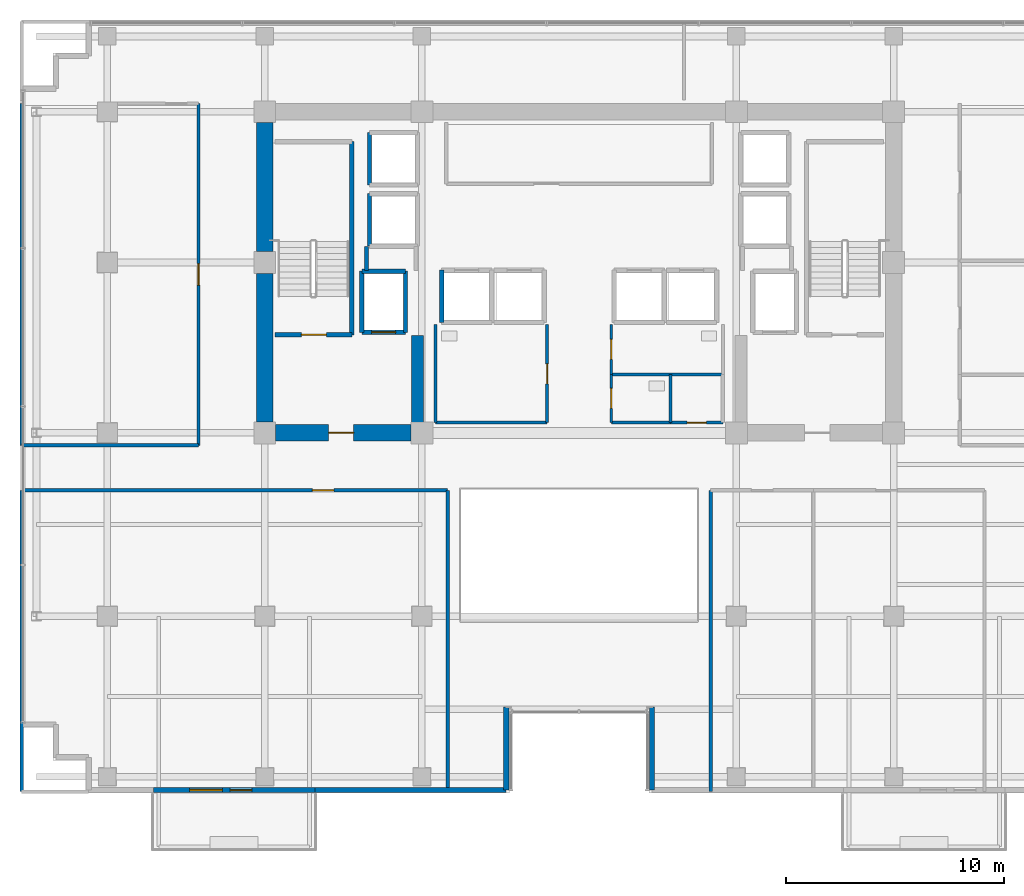
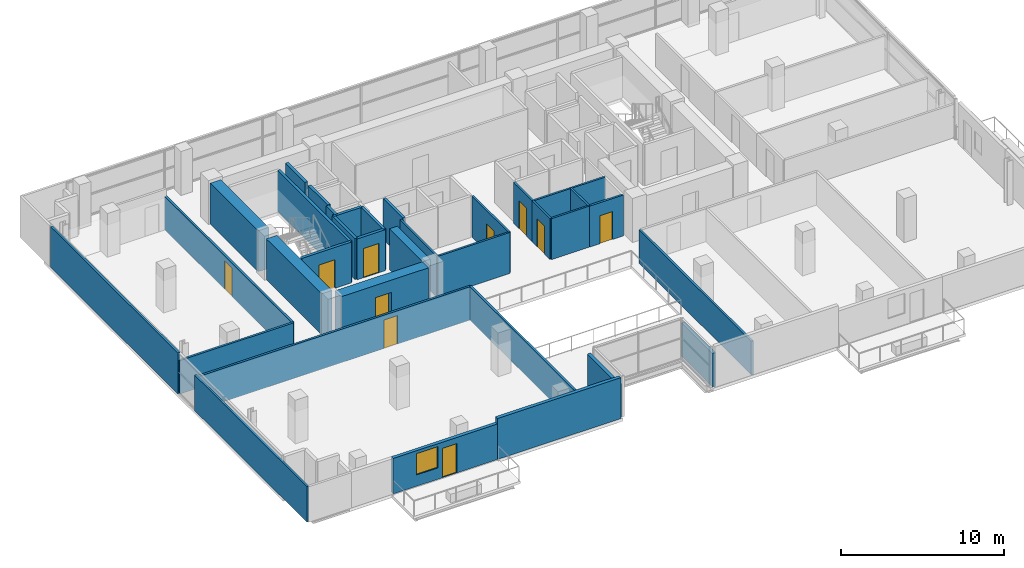
# One storey, part 17 of 25: 34 walls, 10 doors, 1 window, 11 openings.
"""IFC4 building model written with IfcOpenShell, lengths in metres."""

from ifc_helpers import new_model, si_unit, direction, frame, frame_2d, origin, place, context, subcontext, project, spatial, rectangle, extrude, source, transform, mapped, material, layer, layer_set, type_object, element, fill, save


model = new_model("IFC4")

# Units and contexts
model_context = context("Model", 3, precision=1e-05, world=origin(), true_north=direction((0.0, 1.0)))
body_context = subcontext(model_context, "Body", "Model", "MODEL_VIEW")
ifc_project = project(units=[si_unit("LENGTHUNIT", "METRE"), si_unit("AREAUNIT", "SQUARE_METRE"), si_unit("VOLUMEUNIT", "CUBIC_METRE"), si_unit("PLANEANGLEUNIT", "RADIAN"), si_unit("MASSUNIT", "GRAM", prefix="KILO")], contexts=[model_context])

# Site, building, storey
site_placement = place(None, origin())
site = spatial("IfcSite", under=ifc_project, at=site_placement, CompositionType="ELEMENT")
building_placement = place(site_placement, origin())
building = spatial("IfcBuilding", under=site, at=building_placement, Name="Zarnakvel Exchange Tower", CompositionType="ELEMENT")
storey_placement = place(building_placement, frame((0.0, 0.0, 126.39990234375)))
storey = spatial("IfcBuildingStorey", under=building, at=storey_placement, Name="L35", CompositionType="ELEMENT", Elevation=126.39990234375)

# Walls
ifc_material_1 = material(Name="Concrete C60/75", Category="concrete")
ifc_layer_1 = layer(ifc_material_1, 0.75)
ifc_layer_set_1 = layer_set([ifc_layer_1], Name="Concrete C60/75")
wall_type_1 = type_object("IfcWallType", Name="CW-C3", PredefinedType="SHEAR", material=ifc_layer_set_1)
wall_1_placement = place(storey_placement, frame((-14.39990234375, -0.699951171875, 0.0), z_axis=(0.0, 0.0, 1.0), x_axis=(0.0, 1.0, 0.0)))
element("IfcWall", 1, at=wall_1_placement, inside=storey, type_object=wall_type_1, Name="L35 Rear Core Shear Wall W1 (CW-C3)", PredefinedType="SHEAR", context=body_context, shape_type="SweptSolid", body=[
    extrude(rectangle(XDim=6.800048828125, YDim=0.75, at=frame_2d((3.39990234375, 0.0))), origin(), (0.0, 0.0, 1.0), 3.0751953125),
])
wall_2_placement = place(storey_placement, frame((-14.39990234375, 7.10009765625, 0.0), z_axis=(0.0, 0.0, 1.0), x_axis=(0.0, 1.0, 0.0)))
element("IfcWall", 2, at=wall_2_placement, inside=storey, type_object=wall_type_1, Name="L35 Rear Core Shear Wall W2 (CW-C3)", PredefinedType="SHEAR", context=body_context, shape_type="SweptSolid", body=[
    extrude(rectangle(XDim=5.89990234375, YDim=0.75, at=frame_2d((2.949951171875, 0.0))), origin(), (0.0, 0.0, 1.0), 3.0751953125),
])

# Wall, opening, door
wall_3_placement = place(storey_placement, frame((-7.699951171875, -1.199951171875, 0.0), z_axis=(0.0, 0.0, 1.0), x_axis=(-1.0, 0.0, 0.0)))
wall_3 = element("IfcWall", 3, at=wall_3_placement, inside=storey, type_object=wall_type_1, Name="L35 Rear Core Shear Wall SW (CW-C3)", PredefinedType="SHEAR", context=body_context, shape_type="SweptSolid", body=[
    extrude(rectangle(XDim=6.199951171875, YDim=0.75, at=frame_2d((3.10009765625, 0.0))), origin(), (0.0, 0.0, 1.0), 3.0751953125),
])
opening_1_placement = place(wall_3_placement, frame((2.625, 0.0, 0.0)))
opening_1 = element("IfcOpeningElement", 4, at=opening_1_placement, cuts=wall_3, Name="Opening D-L35-03", PredefinedType="OPENING", context=body_context, shape_type="SweptSolid", body=[
    extrude(rectangle(XDim=1.14990234375, YDim=2.14990234375, at=frame_2d((0.574951171875, 1.074951171875))), frame((0.0, 0.385009765625, 0.0), z_axis=(0.0, -1.0, 0.0), x_axis=(1.0, 0.0, 0.0)), (0.0, 0.0, 1.0), 0.77001953125),
])
ifc_material_2 = material(Name="Painted Galvanised Steel S355", Category="steel")
door_type_1 = type_object("IfcDoorType", Name="DT-04", OperationType="NOTDEFINED", PredefinedType="DOOR", material=ifc_material_2)
shared_shape_1 = source(origin(), body_context, "Body", "SweptSolid", [
    extrude(rectangle(XDim=1.14990234375, YDim=2.14990234375, at=frame_2d((0.574951171875, 1.074951171875))), frame((0.0, 0.02490234375, 0.0), z_axis=(0.0, -1.0, 0.0), x_axis=(1.0, 0.0, 0.0)), (0.0, 0.0, 1.0), 0.050048828125),
])
door_1_placement = place(opening_1_placement, origin())
door_1 = element("IfcDoor", 5, at=door_1_placement, inside=storey, type_object=door_type_1, Name="L35 Firefighting Lobby West Door D-L35-03", OperationType="SINGLE_SWING_LEFT", OverallHeight=2.14990234375, OverallWidth=1.14990234375, PredefinedType="DOOR", context=body_context, shape_type="MappedRepresentation", body=[
    mapped(shared_shape_1, transform((0.0, 0.0, 0.0), x_axis=(1.0, 0.0, 0.0), y_axis=(0.0, 1.0, 0.0), z_axis=(0.0, 0.0, 1.0), scale=1.0)),
])
fill(opening_1, door_1)

# Wall
ifc_layer_2 = layer(ifc_material_1, 0.550048828125)
ifc_layer_set_2 = layer_set([ifc_layer_2], Name="Concrete C60/75")
wall_type_2 = type_object("IfcWallType", Name="CW-C4", PredefinedType="SHEAR", material=ifc_layer_set_2)
wall_4_placement = place(storey_placement, frame((-7.39990234375, -0.824951171875, 0.0), z_axis=(0.0, 0.0, 1.0), x_axis=(0.0, 1.0, 0.0)))
element("IfcWall", 6, at=wall_4_placement, inside=storey, type_object=wall_type_2, Name="L35 Rear Core Shear Wall IW (CW-C4)", PredefinedType="SHEAR", context=body_context, shape_type="SweptSolid", body=[
    extrude(rectangle(XDim=4.074951171875, YDim=0.550048828125, at=frame_2d((2.03759765625, 0.0))), origin(), (0.0, 0.0, 1.0), 3.0751953125),
])

# Wall, openings, door, window
ifc_material_3 = material(Name="Precast concrete C40/50", Category="concrete")
ifc_layer_3 = layer(ifc_material_3, 0.239990234375)
ifc_layer_set_3 = layer_set([ifc_layer_3], Name="Precast concrete C40/50")
wall_type_3 = type_object("IfcWallType", Name="EW-02", PredefinedType="SOLIDWALL", material=ifc_layer_set_3)
wall_5_placement = place(storey_placement, frame((-12.10009765625, -17.56005859375, 0.0), z_axis=(0.0, 0.0, 1.0), x_axis=(-1.0, 0.0, 0.0)))
wall_5 = element("IfcWall", 7, at=wall_5_placement, inside=storey, type_object=wall_type_3, Name="L35 Exterior Precast Spandrel Wall EW-BAL-L35-SW (EW-02)", PredefinedType="SOLIDWALL", context=body_context, shape_type="SweptSolid", body=[
    extrude(rectangle(XDim=7.39990234375, YDim=0.239990234375, at=frame_2d((3.699951171875, 0.0))), origin(), (0.0, 0.0, 1.0), 2.6650390625),
])
opening_2_placement = place(wall_5_placement, frame((2.885986328125, 0.0, 0.0)))
opening_2 = element("IfcOpeningElement", 8, at=opening_2_placement, cuts=wall_5, Name="Opening BD-L35-01", PredefinedType="OPENING", context=body_context, shape_type="SweptSolid", body=[
    extrude(rectangle(XDim=1.0, YDim=2.199951171875, at=frame_2d((0.5, 1.10009765625))), frame((0.0, 0.1298828125, 0.0), z_axis=(0.0, -1.0, 0.0), x_axis=(1.0, 0.0, 0.0)), (0.0, 0.0, 1.0), 0.260009765625),
])
opening_3_placement = place(wall_5_placement, frame((4.236083984375, 0.0, 0.85009765625)))
opening_3 = element("IfcOpeningElement", 9, at=opening_3_placement, cuts=wall_5, Name="Opening WN-03", PredefinedType="OPENING", context=body_context, shape_type="SweptSolid", body=[
    extrude(rectangle(XDim=1.5, YDim=1.60009765625, at=frame_2d((0.75, 0.800048828125))), frame((0.0, 0.1298828125, 0.0), z_axis=(0.0, -1.0, 0.0), x_axis=(1.0, 0.0, 0.0)), (0.0, 0.0, 1.0), 0.260009765625),
])
ifc_material_4 = material(Name="Architectural Bronze Anodised Aluminium", Category="aluminium")
door_type_2 = type_object("IfcDoorType", Name="DT-09", OperationType="NOTDEFINED", PredefinedType="DOOR", material=ifc_material_4)
shared_shape_2 = source(origin(), body_context, "Body", "SweptSolid", [
    extrude(rectangle(XDim=1.0, YDim=2.199951171875, at=frame_2d((0.5, 1.10009765625))), frame((0.0, 0.02490234375, 0.0), z_axis=(0.0, -1.0, 0.0), x_axis=(1.0, 0.0, 0.0)), (0.0, 0.0, 1.0), 0.050048828125),
])
door_2_placement = place(opening_2_placement, origin())
door_2 = element("IfcDoor", 10, at=door_2_placement, inside=storey, type_object=door_type_2, Name="L35 Planted Loggia Balcony Door BD-L35-01", OperationType="SINGLE_SWING_LEFT", OverallHeight=2.199951171875, OverallWidth=1.0, PredefinedType="DOOR", context=body_context, shape_type="MappedRepresentation", body=[
    mapped(shared_shape_2, transform((0.0, 0.0, 0.0), x_axis=(1.0, 0.0, 0.0), y_axis=(0.0, 1.0, 0.0), z_axis=(0.0, 0.0, 1.0), scale=1.0)),
])
fill(opening_2, door_2)
ifc_material_5 = material(Name="Double Low-E Laminated Vision Glass", Category="glass")
window_type = type_object("IfcWindowType", Name="WN-03", PartitioningType="SINGLE_PANEL", PredefinedType="WINDOW", material=ifc_material_5)
shared_shape_3 = source(origin(), body_context, "Body", "SweptSolid", [
    extrude(rectangle(XDim=1.5, YDim=1.60009765625, at=frame_2d((0.75, 0.800048828125))), frame((0.0, 0.030029296875, 0.0), z_axis=(0.0, -1.0, 0.0), x_axis=(1.0, 0.0, 0.0)), (0.0, 0.0, 1.0), 0.06005859375),
])
window_placement = place(opening_3_placement, origin())
window = element("IfcWindow", 11, at=window_placement, inside=storey, type_object=window_type, Name="L35 Loggia Daylight Window (WN-03)", OverallHeight=1.60009765625, OverallWidth=1.5, PartitioningType="SINGLE_PANEL", PredefinedType="WINDOW", context=body_context, shape_type="MappedRepresentation", body=[
    mapped(shared_shape_3, transform((0.0, 0.0, 0.0), x_axis=(1.0, 0.0, 0.0), y_axis=(0.0, 1.0, 0.0), z_axis=(0.0, 0.0, 1.0), scale=1.0)),
])
fill(opening_3, window)

# Walls
for number, where, z_axis, x_axis, name in (
    (12, (3.340087890625, -13.760009765625, 0.0), (0.0, 0.0, 1.0), (0.0, -1.0, 0.0), "L35 Exterior Precast Spandrel Wall EWC-L35-17 (EW-02)"),
    (13, (-3.340087890625, -17.56005859375, 0.0), (0.0, 0.0, 1.0), (0.0, 1.0, 0.0), "L35 Exterior Precast Spandrel Wall EWC-L35-20 (EW-02)"),
):
    element("IfcWall", number, at=place(storey_placement, frame(where, z_axis=z_axis, x_axis=x_axis)), inside=storey, type_object=wall_type_3, Name=name, PredefinedType="SOLIDWALL", context=body_context, shape_type="SweptSolid", body=[
        extrude(rectangle(XDim=3.800048828125, YDim=0.239990234375, at=frame_2d((1.89990234375, 0.0))), origin(), (0.0, 0.0, 1.0), 2.51513671875),
    ])
wall_6_placement = place(storey_placement, frame((-12.10009765625, -17.56005859375, 0.0), z_axis=(0.0, 0.0, 1.0), x_axis=(1.0, 0.0, 0.0)))
element("IfcWall", 14, at=wall_6_placement, inside=storey, type_object=wall_type_3, Name="L35 Exterior Precast Spandrel Wall EWC-L35-21 (EW-02)", PredefinedType="SOLIDWALL", context=body_context, shape_type="SweptSolid", body=[
    extrude(rectangle(XDim=8.760009765625, YDim=0.239990234375, at=frame_2d((4.3798828125, 0.0))), origin(), (0.0, 0.0, 1.0), 3.0751953125),
])

# Wall, opening, door
ifc_material_6 = material(Name="Fire-Rated Gypsum Stud Partition", Category="gypsum")
ifc_layer_4 = layer(ifc_material_6, 0.14990234375)
ifc_layer_set_4 = layer_set([ifc_layer_4], Name="Fire-Rated Gypsum Stud Partition")
wall_type_4 = type_object("IfcWallType", Name="PT-01", PredefinedType="PARTITIONING", material=ifc_layer_set_4)
wall_7_placement = place(storey_placement, frame((6.580078125, -0.72998046875, 0.0), z_axis=(0.0, 0.0, 1.0), x_axis=(-1.0, 0.0, 0.0)))
wall_7 = element("IfcWall", 15, at=wall_7_placement, inside=storey, type_object=wall_type_4, Name="L35 Partition Wall PWALL-L35-023 (PT-01)", PredefinedType="PARTITIONING", context=body_context, shape_type="SweptSolid", body=[
    extrude(rectangle(XDim=2.400146484375, YDim=0.14990234375, at=frame_2d((1.2001953125, 0.0))), origin(), (0.0, 0.0, 1.0), 3.0751953125),
])
opening_4_placement = place(wall_7_placement, frame((0.760009765625, 0.0, 0.0)))
opening_4 = element("IfcOpeningElement", 16, at=opening_4_placement, cuts=wall_7, Name="Opening D-L35-09", PredefinedType="OPENING", context=body_context, shape_type="SweptSolid", body=[
    extrude(rectangle(XDim=0.8798828125, YDim=2.10009765625, at=frame_2d((0.43994140625, 1.050048828125))), frame((0.0, 0.0849609375, 0.0), z_axis=(0.0, -1.0, 0.0), x_axis=(1.0, 0.0, 0.0)), (0.0, 0.0, 1.0), 0.169921875),
])
door_type_3 = type_object("IfcDoorType", Name="DT-08", OperationType="NOTDEFINED", PredefinedType="DOOR", material=ifc_material_2)
shared_shape_4 = source(origin(), body_context, "Body", "SweptSolid", [
    extrude(rectangle(XDim=0.8798828125, YDim=2.10009765625, at=frame_2d((0.43994140625, 1.050048828125))), frame((0.0, 0.02490234375, 0.0), z_axis=(0.0, -1.0, 0.0), x_axis=(1.0, 0.0, 0.0)), (0.0, 0.0, 1.0), 0.050048828125),
])
door_3_placement = place(opening_4_placement, origin())
door_3 = element("IfcDoor", 17, at=door_3_placement, inside=storey, type_object=door_type_3, Name="L35 Cleaners Store Door D-L35-09", OperationType="SINGLE_SWING_LEFT", OverallHeight=2.10009765625, OverallWidth=0.8798828125, PredefinedType="DOOR", context=body_context, shape_type="MappedRepresentation", body=[
    mapped(shared_shape_4, transform((0.0, 0.0, 0.0), x_axis=(1.0, 0.0, 0.0), y_axis=(0.0, 1.0, 0.0), z_axis=(0.0, 0.0, 1.0), scale=1.0)),
])
fill(opening_4, door_3)

wall_8_placement = place(storey_placement, frame((-25.530029296875, -3.830078125, 0.0), z_axis=(0.0, 0.0, 1.0), x_axis=(1.0, 0.0, 0.0)))
wall_8 = element("IfcWall", 18, at=wall_8_placement, inside=storey, type_object=wall_type_4, Name="L35 Partition Wall PWALL-L35-026 (PT-01)", PredefinedType="PARTITIONING", context=body_context, shape_type="SweptSolid", body=[
    extrude(rectangle(XDim=19.510009765625, YDim=0.14990234375, at=frame_2d((9.7548828125, 0.0))), origin(), (0.0, 0.0, 1.0), 2.51513671875),
])
opening_5_placement = place(wall_8_placement, frame((13.31494140625, 0.0, 0.0)))
opening_5 = element("IfcOpeningElement", 19, at=opening_5_placement, cuts=wall_8, Name="Opening D-L35-10", PredefinedType="OPENING", context=body_context, shape_type="SweptSolid", body=[
    extrude(rectangle(XDim=0.97998046875, YDim=2.14990234375, at=frame_2d((0.489990234375, 1.074951171875))), frame((0.0, 0.0849609375, 0.0), z_axis=(0.0, -1.0, 0.0), x_axis=(1.0, 0.0, 0.0)), (0.0, 0.0, 1.0), 0.169921875),
])
ifc_material_7 = material(Name="Timber Acoustic Veneer", Category="wood")
door_type_4 = type_object("IfcDoorType", Name="DT-05", OperationType="NOTDEFINED", PredefinedType="DOOR", material=ifc_material_7)
shared_shape_5 = source(origin(), body_context, "Body", "SweptSolid", [
    extrude(rectangle(XDim=0.97998046875, YDim=2.14990234375, at=frame_2d((0.489990234375, 1.074951171875))), frame((0.0, 0.02490234375, 0.0), z_axis=(0.0, -1.0, 0.0), x_axis=(1.0, 0.0, 0.0)), (0.0, 0.0, 1.0), 0.050048828125),
])
door_4_placement = place(opening_5_placement, origin())
door_4 = element("IfcDoor", 20, at=door_4_placement, inside=storey, type_object=door_type_4, Name="L35 Equities Trading Floor Door D-L35-10", OperationType="SINGLE_SWING_RIGHT", OverallHeight=2.14990234375, OverallWidth=0.97998046875, PredefinedType="DOOR", context=body_context, shape_type="MappedRepresentation", body=[
    mapped(shared_shape_5, transform((0.0, 0.0, 0.0), x_axis=(1.0, 0.0, 0.0), y_axis=(0.0, 1.0, 0.0), z_axis=(0.0, 0.0, 1.0), scale=1.0)),
])
fill(opening_5, door_4)

# Walls
wall_9_placement = place(storey_placement, frame((-25.530029296875, -17.6298828125, 0.0), z_axis=(0.0, 0.0, 1.0), x_axis=(0.0, 1.0, 0.0)))
element("IfcWall", 21, at=wall_9_placement, inside=storey, type_object=wall_type_4, Name="L35 Partition Wall PWALL-L35-027 (PT-01)", PredefinedType="PARTITIONING", context=body_context, shape_type="SweptSolid", body=[
    extrude(rectangle(XDim=13.7998046875, YDim=0.14990234375, at=frame_2d((6.89990234375, 0.0))), origin(), (0.0, 0.0, 1.0), 2.6650390625),
])
for number, where, z_axis, x_axis, name in (
    (22, (-6.02001953125, -3.830078125, 0.0), (0.0, 0.0, 1.0), (0.0, -1.0, 0.0), "L35 Partition Wall PWALL-L35-028 (PT-01)"),
    (23, (6.02001953125, -17.6298828125, 0.0), (0.0, 0.0, 1.0), (0.0, 1.0, 0.0), "L35 Partition Wall PWALL-L35-031 (PT-01)"),
):
    element("IfcWall", number, at=place(storey_placement, frame(where, z_axis=z_axis, x_axis=x_axis)), inside=storey, type_object=wall_type_4, Name=name, PredefinedType="PARTITIONING", context=body_context, shape_type="SweptSolid", body=[
        extrude(rectangle(XDim=13.7998046875, YDim=0.14990234375, at=frame_2d((6.89990234375, 0.0))), origin(), (0.0, 0.0, 1.0), 2.51513671875),
    ])
wall_10_placement = place(storey_placement, frame((-17.429931640625, -1.77001953125, 0.0), z_axis=(0.0, 0.0, 1.0), x_axis=(-1.0, 0.0, 0.0)))
element("IfcWall", 24, at=wall_10_placement, inside=storey, type_object=wall_type_4, Name="L35 Partition Wall PWALL-L35-036 (PT-01)", PredefinedType="PARTITIONING", context=body_context, shape_type="SweptSolid", body=[
    extrude(rectangle(XDim=8.10009765625, YDim=0.14990234375, at=frame_2d((4.050048828125, 0.0))), origin(), (0.0, 0.0, 1.0), 2.51513671875),
])
wall_11_placement = place(storey_placement, frame((-25.530029296875, -1.77001953125, 0.0), z_axis=(0.0, 0.0, 1.0), x_axis=(0.0, 1.0, 0.0)))
element("IfcWall", 25, at=wall_11_placement, inside=storey, type_object=wall_type_4, Name="L35 Partition Wall PWALL-L35-038 (PT-01)", PredefinedType="PARTITIONING", context=body_context, shape_type="SweptSolid", body=[
    extrude(rectangle(XDim=15.64990234375, YDim=0.14990234375, at=frame_2d((7.824951171875, 0.0))), origin(), (0.0, 0.0, 1.0), 3.0751953125),
])

# Wall, opening, door
wall_12_placement = place(storey_placement, frame((-17.429931640625, 13.8798828125, 0.0), z_axis=(0.0, 0.0, 1.0), x_axis=(0.0, -1.0, 0.0)))
wall_12 = element("IfcWall", 26, at=wall_12_placement, inside=storey, type_object=wall_type_4, Name="L35 Partition Wall PWALL-L35-039 (PT-01)", PredefinedType="PARTITIONING", context=body_context, shape_type="SweptSolid", body=[
    extrude(rectangle(XDim=15.64990234375, YDim=0.14990234375, at=frame_2d((7.824951171875, 0.0))), origin(), (0.0, 0.0, 1.0), 2.51513671875),
])
opening_6_placement = place(wall_12_placement, frame((7.3349609375, 0.0, 0.0)))
opening_6 = element("IfcOpeningElement", 27, at=opening_6_placement, cuts=wall_12, Name="Opening D-L35-13", PredefinedType="OPENING", context=body_context, shape_type="SweptSolid", body=[
    extrude(rectangle(XDim=0.97998046875, YDim=2.14990234375, at=frame_2d((0.489990234375, 1.074951171875))), frame((0.0, 0.0849609375, 0.0), z_axis=(0.0, -1.0, 0.0), x_axis=(1.0, 0.0, 0.0)), (0.0, 0.0, 1.0), 0.169921875),
])
door_5_placement = place(opening_6_placement, origin())
door_5 = element("IfcDoor", 28, at=door_5_placement, inside=storey, type_object=door_type_4, Name="L35 Executive Office Door D-L35-13", OperationType="SINGLE_SWING_LEFT", OverallHeight=2.14990234375, OverallWidth=0.97998046875, PredefinedType="DOOR", context=body_context, shape_type="MappedRepresentation", body=[
    mapped(shared_shape_5, transform((0.0, 0.0, 0.0), x_axis=(1.0, 0.0, 0.0), y_axis=(0.0, 1.0, 0.0), z_axis=(0.0, 0.0, 1.0), scale=1.0)),
])
fill(opening_6, door_5)

# Walls
ifc_layer_5 = layer(ifc_material_6, 0.179931640625)
ifc_layer_set_5 = layer_set([ifc_layer_5], Name="Fire-Rated Gypsum Stud Partition")
wall_type_5 = type_object("IfcWallType", Name="PT-02", PredefinedType="PARTITIONING", material=ifc_layer_set_5)
wall_13_placement = place(storey_placement, frame((-9.72998046875, 6.239990234375, 0.0), z_axis=(0.0, 0.0, 1.0), x_axis=(0.0, 1.0, 0.0)))
element("IfcWall", 29, at=wall_13_placement, inside=storey, type_object=wall_type_5, Name="L35 Partition Wall PWALL-L35-007 (PT-02)", PredefinedType="PARTITIONING", context=body_context, shape_type="SweptSolid", body=[
    extrude(rectangle(XDim=1.090087890625, YDim=0.179931640625, at=frame_2d((0.544921875, 0.0))), origin(), (0.0, 0.0, 1.0), 3.0751953125),
])
ifc_material_8 = material(Name="Moisture-Resistant Tile-Faced Partition", Category="gypsum")
ifc_layer_6 = layer(ifc_material_8, 0.135009765625)
ifc_layer_set_6 = layer_set([ifc_layer_6], Name="Moisture-Resistant Tile-Faced Partition")
wall_type_6 = type_object("IfcWallType", Name="PT-03", PredefinedType="PARTITIONING", material=ifc_layer_set_6)
wall_14_placement = place(storey_placement, frame((-1.469970703125, -0.72998046875, 0.0), z_axis=(0.0, 0.0, 1.0), x_axis=(-1.0, 0.0, 0.0)))
element("IfcWall", 30, at=wall_14_placement, inside=storey, type_object=wall_type_6, Name="L35 Partition Wall PWALL-L35-014 (PT-03)", PredefinedType="PARTITIONING", context=body_context, shape_type="SweptSolid", body=[
    extrude(rectangle(XDim=5.110107421875, YDim=0.135009765625, at=frame_2d((2.55517578125, 0.0))), origin(), (0.0, 0.0, 1.0), 3.0751953125),
])
wall_15_placement = place(storey_placement, frame((-6.580078125, -0.72998046875, 0.0), z_axis=(0.0, 0.0, 1.0), x_axis=(0.0, 1.0, 0.0)))
element("IfcWall", 31, at=wall_15_placement, inside=storey, type_object=wall_type_6, Name="L35 Partition Wall PWALL-L35-015 (PT-03)", PredefinedType="PARTITIONING", context=body_context, shape_type="SweptSolid", body=[
    extrude(rectangle(XDim=4.489990234375, YDim=0.135009765625, at=frame_2d((2.2451171875, 0.0))), origin(), (0.0, 0.0, 1.0), 3.0751953125),
])

# Wall, opening, door
wall_16_placement = place(storey_placement, frame((-1.469970703125, 3.760009765625, 0.0), z_axis=(0.0, 0.0, 1.0), x_axis=(0.0, -1.0, 0.0)))
wall_16 = element("IfcWall", 32, at=wall_16_placement, inside=storey, type_object=wall_type_6, Name="L35 Partition Wall PWALL-L35-016 (PT-03)", PredefinedType="PARTITIONING", context=body_context, shape_type="SweptSolid", body=[
    extrude(rectangle(XDim=4.489990234375, YDim=0.135009765625, at=frame_2d((2.2451171875, 0.0))), origin(), (0.0, 0.0, 1.0), 3.0751953125),
])
opening_7_placement = place(wall_16_placement, frame((1.800048828125, 0.0, 0.0)))
opening_7 = element("IfcOpeningElement", 33, at=opening_7_placement, cuts=wall_16, Name="Opening D-L35-06", PredefinedType="OPENING", context=body_context, shape_type="SweptSolid", body=[
    extrude(rectangle(XDim=0.919921875, YDim=2.10009765625, at=frame_2d((0.4599609375, 1.050048828125))), frame((0.0, 0.077392578125, 0.0), z_axis=(0.0, -1.0, 0.0), x_axis=(1.0, 0.0, 0.0)), (0.0, 0.0, 1.0), 0.155029296875),
])
ifc_material_9 = material(Name="Moisture-Resistant Laminate Timber", Category="wood")
door_type_5 = type_object("IfcDoorType", Name="DT-07", OperationType="NOTDEFINED", PredefinedType="DOOR", material=ifc_material_9)
shared_shape_6 = source(origin(), body_context, "Body", "SweptSolid", [
    extrude(rectangle(XDim=0.919921875, YDim=2.10009765625, at=frame_2d((0.4599609375, 1.050048828125))), frame((0.0, 0.02490234375, 0.0), z_axis=(0.0, -1.0, 0.0), x_axis=(1.0, 0.0, 0.0)), (0.0, 0.0, 1.0), 0.050048828125),
])
door_6_placement = place(opening_7_placement, origin())
door_6 = element("IfcDoor", 34, at=door_6_placement, inside=storey, type_object=door_type_5, Name="L35 Male Toilet Door D-L35-06", OperationType="SINGLE_SWING_RIGHT", OverallHeight=2.10009765625, OverallWidth=0.919921875, PredefinedType="DOOR", context=body_context, shape_type="MappedRepresentation", body=[
    mapped(shared_shape_6, transform((0.0, 0.0, 0.0), x_axis=(1.0, 0.0, 0.0), y_axis=(0.0, 1.0, 0.0), z_axis=(0.0, 0.0, 1.0), scale=1.0)),
])
fill(opening_7, door_6)

# Wall
wall_17_placement = place(storey_placement, frame((6.580078125, 1.47998046875, 0.0), z_axis=(0.0, 0.0, 1.0), x_axis=(-1.0, 0.0, 0.0)))
element("IfcWall", 35, at=wall_17_placement, inside=storey, type_object=wall_type_6, Name="L35 Partition Wall PWALL-L35-017 (PT-03)", PredefinedType="PARTITIONING", context=body_context, shape_type="SweptSolid", body=[
    extrude(rectangle(XDim=5.110107421875, YDim=0.135009765625, at=frame_2d((2.55517578125, 0.0))), origin(), (0.0, 0.0, 1.0), 3.0751953125),
])

# Wall, opening, door
wall_18_placement = place(storey_placement, frame((1.469970703125, 1.47998046875, 0.0), z_axis=(0.0, 0.0, 1.0), x_axis=(0.0, 1.0, 0.0)))
wall_18 = element("IfcWall", 36, at=wall_18_placement, inside=storey, type_object=wall_type_6, Name="L35 Partition Wall PWALL-L35-018 (PT-03)", PredefinedType="PARTITIONING", context=body_context, shape_type="SweptSolid", body=[
    extrude(rectangle(XDim=2.280029296875, YDim=0.135009765625, at=frame_2d((1.14013671875, 0.0))), origin(), (0.0, 0.0, 1.0), 3.0751953125),
])
opening_8_placement = place(wall_18_placement, frame((0.679931640625, 0.0, 0.0)))
opening_8 = element("IfcOpeningElement", 37, at=opening_8_placement, cuts=wall_18, Name="Opening D-L35-07", PredefinedType="OPENING", context=body_context, shape_type="SweptSolid", body=[
    extrude(rectangle(XDim=0.919921875, YDim=2.10009765625, at=frame_2d((0.4599609375, 1.050048828125))), frame((0.0, 0.077392578125, 0.0), z_axis=(0.0, -1.0, 0.0), x_axis=(1.0, 0.0, 0.0)), (0.0, 0.0, 1.0), 0.155029296875),
])
door_7_placement = place(opening_8_placement, origin())
door_7 = element("IfcDoor", 38, at=door_7_placement, inside=storey, type_object=door_type_5, Name="L35 Female Toilet Door D-L35-07", OperationType="SINGLE_SWING_LEFT", OverallHeight=2.10009765625, OverallWidth=0.919921875, PredefinedType="DOOR", context=body_context, shape_type="MappedRepresentation", body=[
    mapped(shared_shape_6, transform((0.0, 0.0, 0.0), x_axis=(1.0, 0.0, 0.0), y_axis=(0.0, 1.0, 0.0), z_axis=(0.0, 0.0, 1.0), scale=1.0)),
])
fill(opening_8, door_7)

# Wall
wall_19_placement = place(storey_placement, frame((4.179931640625, -0.72998046875, 0.0), z_axis=(0.0, 0.0, 1.0), x_axis=(-1.0, 0.0, 0.0)))
element("IfcWall", 39, at=wall_19_placement, inside=storey, type_object=wall_type_6, Name="L35 Partition Wall PWALL-L35-020 (PT-03)", PredefinedType="PARTITIONING", context=body_context, shape_type="SweptSolid", body=[
    extrude(rectangle(XDim=2.7099609375, YDim=0.135009765625, at=frame_2d((1.35498046875, 0.0))), origin(), (0.0, 0.0, 1.0), 3.0751953125),
])

# Wall, opening, door
wall_20_placement = place(storey_placement, frame((1.469970703125, -0.72998046875, 0.0), z_axis=(0.0, 0.0, 1.0), x_axis=(0.0, 1.0, 0.0)))
wall_20 = element("IfcWall", 40, at=wall_20_placement, inside=storey, type_object=wall_type_6, Name="L35 Partition Wall PWALL-L35-021 (PT-03)", PredefinedType="PARTITIONING", context=body_context, shape_type="SweptSolid", body=[
    extrude(rectangle(XDim=2.2099609375, YDim=0.135009765625, at=frame_2d((1.10498046875, 0.0))), origin(), (0.0, 0.0, 1.0), 3.0751953125),
])
opening_9_placement = place(wall_20_placement, frame((0.64990234375, 0.0, 0.0)))
opening_9 = element("IfcOpeningElement", 41, at=opening_9_placement, cuts=wall_20, Name="Opening D-L35-08", PredefinedType="OPENING", context=body_context, shape_type="SweptSolid", body=[
    extrude(rectangle(XDim=0.919921875, YDim=2.10009765625, at=frame_2d((0.4599609375, 1.050048828125))), frame((0.0, 0.077392578125, 0.0), z_axis=(0.0, -1.0, 0.0), x_axis=(1.0, 0.0, 0.0)), (0.0, 0.0, 1.0), 0.155029296875),
])
door_8_placement = place(opening_9_placement, origin())
door_8 = element("IfcDoor", 42, at=door_8_placement, inside=storey, type_object=door_type_5, Name="L35 Accessible Toilet Door D-L35-08", OperationType="SINGLE_SWING_RIGHT", OverallHeight=2.10009765625, OverallWidth=0.919921875, PredefinedType="DOOR", context=body_context, shape_type="MappedRepresentation", body=[
    mapped(shared_shape_6, transform((0.0, 0.0, 0.0), x_axis=(1.0, 0.0, 0.0), y_axis=(0.0, 1.0, 0.0), z_axis=(0.0, 0.0, 1.0), scale=1.0)),
])
fill(opening_9, door_8)

# Wall
wall_21_placement = place(storey_placement, frame((4.179931640625, 1.47998046875, 0.0), z_axis=(0.0, 0.0, 1.0), x_axis=(0.0, -1.0, 0.0)))
element("IfcWall", 43, at=wall_21_placement, inside=storey, type_object=wall_type_6, Name="L35 Partition Wall PWALL-L35-022 (PT-03)", PredefinedType="PARTITIONING", context=body_context, shape_type="SweptSolid", body=[
    extrude(rectangle(XDim=2.2099609375, YDim=0.135009765625, at=frame_2d((1.10498046875, 0.0))), origin(), (0.0, 0.0, 1.0), 3.0751953125),
])

# Wall, opening, door
ifc_material_10 = material(Name="Concrete C40/50", Category="concrete")
ifc_layer_7 = layer(ifc_material_10, 0.199951171875)
ifc_layer_set_7 = layer_set([ifc_layer_7], Name="Concrete C40/50")
wall_type_7 = type_object("IfcWallType", Name="SW-01", PredefinedType="SOLIDWALL", material=ifc_layer_set_7)
wall_22_placement = place(storey_placement, frame((-7.949951171875, 3.39990234375, 0.0), z_axis=(0.0, 0.0, 1.0), x_axis=(-1.0, 0.0, 0.0)))
wall_22 = element("IfcWall", 44, at=wall_22_placement, inside=storey, type_object=wall_type_7, Name="L35 FL-01 Hoistway Wall South", PredefinedType="SOLIDWALL", context=body_context, shape_type="SweptSolid", body=[
    extrude(rectangle(XDim=2.0, YDim=0.199951171875, at=frame_2d((1.0, 0.0))), origin(), (0.0, 0.0, 1.0), 3.0751953125),
])
opening_10_placement = place(wall_22_placement, frame((0.449951171875, 0.0, 0.0)))
opening_10 = element("IfcOpeningElement", 45, at=opening_10_placement, cuts=wall_22, Name="Opening LD-FL-01-L35", PredefinedType="OPENING", context=body_context, shape_type="SweptSolid", body=[
    extrude(rectangle(XDim=1.10009765625, YDim=2.199951171875, at=frame_2d((0.550048828125, 1.10009765625))), frame((0.0, 0.10986328125, 0.0), z_axis=(0.0, -1.0, 0.0), x_axis=(1.0, 0.0, 0.0)), (0.0, 0.0, 1.0), 0.219970703125),
])
ifc_material_11 = material(Name="Brushed Stainless Steel", Category="steel")
door_type_6 = type_object("IfcDoorType", Name="LDT-01", OperationType="NOTDEFINED", PredefinedType="DOOR", material=ifc_material_11)
shared_shape_7 = source(origin(), body_context, "Body", "SweptSolid", [
    extrude(rectangle(XDim=1.10009765625, YDim=2.199951171875, at=frame_2d((0.550048828125, 1.10009765625))), frame((0.0, 0.02490234375, 0.0), z_axis=(0.0, -1.0, 0.0), x_axis=(1.0, 0.0, 0.0)), (0.0, 0.0, 1.0), 0.050048828125),
])
door_9_placement = place(opening_10_placement, origin())
door_9 = element("IfcDoor", 46, at=door_9_placement, inside=storey, type_object=door_type_6, Name="L35 FL-01 Lift Landing Door LD-FL-01-L35", OperationType="DOUBLE_DOOR_SLIDING", OverallHeight=2.199951171875, OverallWidth=1.10009765625, PredefinedType="DOOR", context=body_context, shape_type="MappedRepresentation", body=[
    mapped(shared_shape_7, transform((0.0, 0.0, 0.0), x_axis=(1.0, 0.0, 0.0), y_axis=(0.0, 1.0, 0.0), z_axis=(0.0, 0.0, 1.0), scale=1.0)),
])
fill(opening_10, door_9)

# Walls
wall_23_placement = place(storey_placement, frame((-9.949951171875, 6.199951171875, 0.0), z_axis=(0.0, 0.0, 1.0), x_axis=(1.0, 0.0, 0.0)))
element("IfcWall", 47, at=wall_23_placement, inside=storey, type_object=wall_type_7, Name="L35 FL-01 Hoistway Wall North", PredefinedType="SOLIDWALL", context=body_context, shape_type="SweptSolid", body=[
    extrude(rectangle(XDim=2.0, YDim=0.199951171875, at=frame_2d((1.0, 0.0))), origin(), (0.0, 0.0, 1.0), 3.0751953125),
])
for number, where, z_axis, x_axis, name in (
    (48, (-9.949951171875, 3.39990234375, 0.0), (0.0, 0.0, 1.0), (0.0, 1.0, 0.0), "L35 FL-01 Hoistway Wall West"),
    (49, (-7.949951171875, 6.199951171875, 0.0), (0.0, 0.0, 1.0), (0.0, -1.0, 0.0), "L35 FL-01 Hoistway Wall East"),
):
    element("IfcWall", number, at=place(storey_placement, frame(where, z_axis=z_axis, x_axis=x_axis)), inside=storey, type_object=wall_type_7, Name=name, PredefinedType="SOLIDWALL", context=body_context, shape_type="SweptSolid", body=[
        extrude(rectangle(XDim=2.800048828125, YDim=0.199951171875, at=frame_2d((1.39990234375, 0.0))), origin(), (0.0, 0.0, 1.0), 3.0751953125),
    ])
for number, where, z_axis, x_axis, name in (
    (50, (-6.300048828125, 3.85009765625, 0.0), (0.0, 0.0, 1.0), (0.0, 1.0, 0.0), "L35 PL-05 Hoistway Wall West"),
    (51, (-9.60009765625, 7.35009765625, 0.0), (0.0, 0.0, 1.0), (0.0, 1.0, 0.0), "L35 PL-09 Hoistway Wall West"),
):
    element("IfcWall", number, at=place(storey_placement, frame(where, z_axis=z_axis, x_axis=x_axis)), inside=storey, type_object=wall_type_7, Name=name, PredefinedType="SOLIDWALL", context=body_context, shape_type="SweptSolid", body=[
        extrude(rectangle(XDim=2.39990234375, YDim=0.199951171875, at=frame_2d((1.199951171875, 0.0))), origin(), (0.0, 0.0, 1.0), 3.0751953125),
    ])
wall_24_placement = place(storey_placement, frame((-9.60009765625, 10.14990234375, 0.0), z_axis=(0.0, 0.0, 1.0), x_axis=(0.0, 1.0, 0.0)))
element("IfcWall", 52, at=wall_24_placement, inside=storey, type_object=wall_type_7, Name="L35 PL-10 Hoistway Wall West", PredefinedType="SOLIDWALL", context=body_context, shape_type="SweptSolid", body=[
    extrude(rectangle(XDim=2.400146484375, YDim=0.199951171875, at=frame_2d((1.2001953125, 0.0))), origin(), (0.0, 0.0, 1.0), 3.0751953125),
])

# Wall, opening, door
ifc_layer_8 = layer(ifc_material_10, 0.199951171875)
ifc_layer_set_8 = layer_set([ifc_layer_8], Name="Concrete C40/50")
wall_type_8 = type_object("IfcWallType", Name="SW-02", PredefinedType="SOLIDWALL", material=ifc_layer_set_8)
wall_25_placement = place(storey_placement, frame((-10.409912109375, 3.2900390625, 0.0), z_axis=(0.0, 0.0, 1.0), x_axis=(-1.0, 0.0, 0.0)))
wall_25 = element("IfcWall", 53, at=wall_25_placement, inside=storey, type_object=wall_type_8, Name="L35 Stairwell Core Wall PWALL-L35-001 (SW-02)", PredefinedType="SOLIDWALL", context=body_context, shape_type="SweptSolid", body=[
    extrude(rectangle(XDim=3.52001953125, YDim=0.199951171875, at=frame_2d((1.760009765625, 0.0))), origin(), (0.0, 0.0, 1.0), 3.0751953125),
])
opening_11_placement = place(wall_25_placement, frame((1.1650390625, 0.0, 0.0)))
opening_11 = element("IfcOpeningElement", 54, at=opening_11_placement, cuts=wall_25, Name="Opening D-L35-01", PredefinedType="OPENING", context=body_context, shape_type="SweptSolid", body=[
    extrude(rectangle(XDim=1.14990234375, YDim=2.14990234375, at=frame_2d((0.574951171875, 1.074951171875))), frame((0.0, 0.10986328125, 0.0), z_axis=(0.0, -1.0, 0.0), x_axis=(1.0, 0.0, 0.0)), (0.0, 0.0, 1.0), 0.219970703125),
])
door_10_placement = place(opening_11_placement, origin())
door_10 = element("IfcDoor", 55, at=door_10_placement, inside=storey, type_object=door_type_1, Name="L35 Stairwell ST-01 Door D-L35-01", OperationType="SINGLE_SWING_LEFT", OverallHeight=2.14990234375, OverallWidth=1.14990234375, PredefinedType="DOOR", context=body_context, shape_type="MappedRepresentation", body=[
    mapped(shared_shape_1, transform((0.0, 0.0, 0.0), x_axis=(1.0, 0.0, 0.0), y_axis=(0.0, 1.0, 0.0), z_axis=(0.0, 0.0, 1.0), scale=1.0)),
])
fill(opening_11, door_10)

# Wall
wall_26_placement = place(storey_placement, frame((-10.409912109375, 12.1298828125, 0.0), z_axis=(0.0, 0.0, 1.0), x_axis=(0.0, -1.0, 0.0)))
element("IfcWall", 56, at=wall_26_placement, inside=storey, type_object=wall_type_8, Name="L35 Stairwell Core Wall PWALL-L35-003 (SW-02)", PredefinedType="SOLIDWALL", context=body_context, shape_type="SweptSolid", body=[
    extrude(rectangle(XDim=8.83984375, YDim=0.199951171875, at=frame_2d((4.419921875, 0.0))), origin(), (0.0, 0.0, 1.0), 3.0751953125),
])

save(model, "model.ifc")
